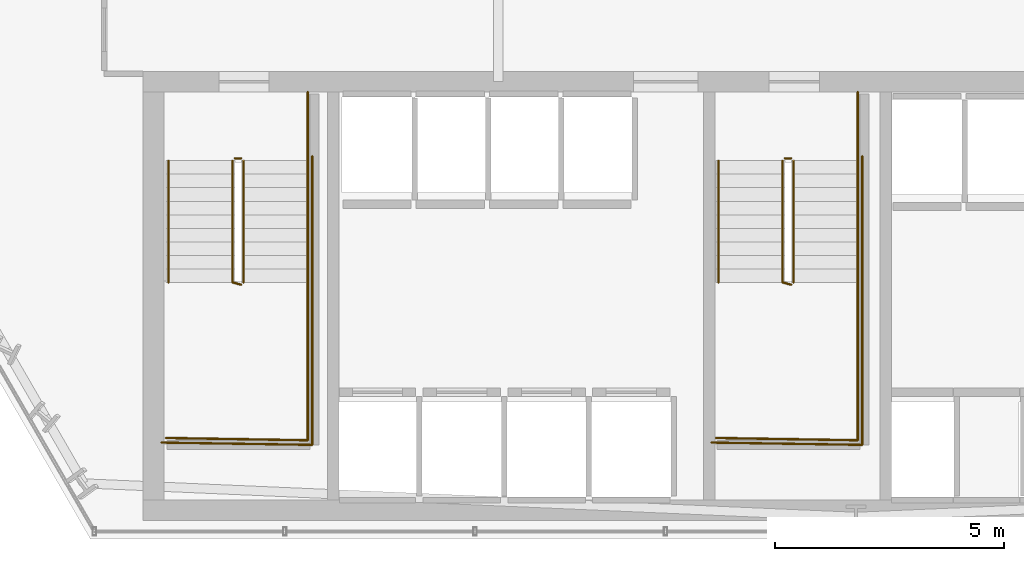
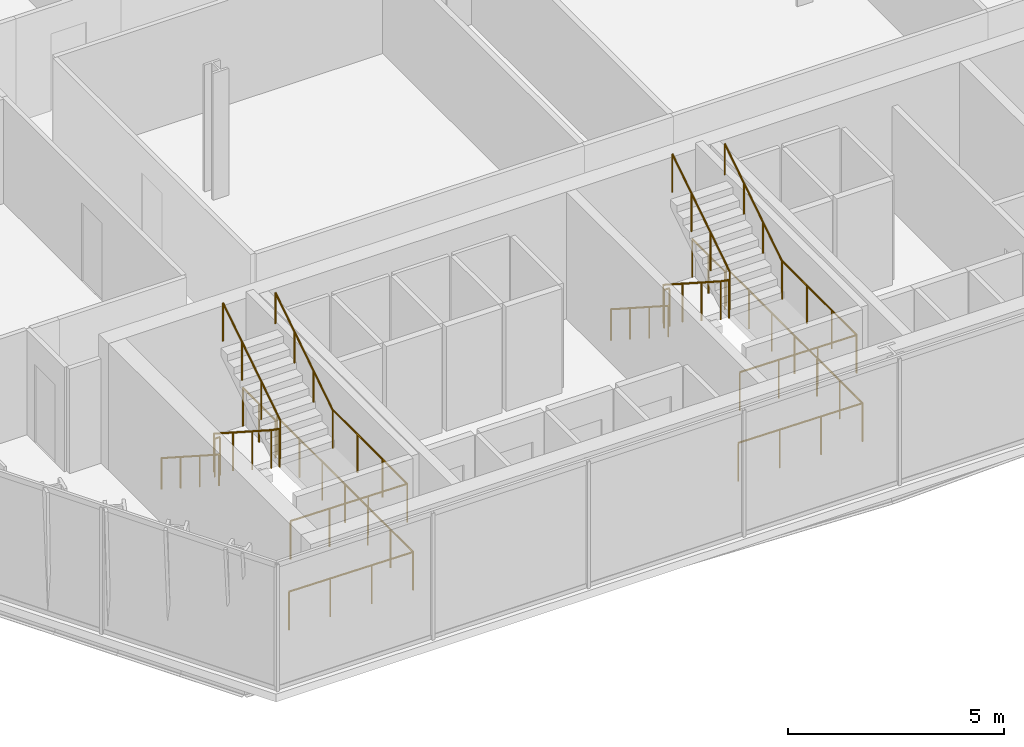
# One storey, part 30 of 32: 16 railings.
"""IFC4 building model written with IfcOpenShell, lengths in metres."""

from ifc_helpers import new_model, si_unit, direction, frame, origin, origin_2d, place, context, subcontext, project, spatial, circle, extrude, material, layer, layer_set, type_object, element, save


model = new_model("IFC4")

# Units and contexts
model_context = context("Model", 3, precision=1e-05, world=origin(), true_north=direction((0.0, 1.0)))
body_context = subcontext(model_context, "Body", "Model", "MODEL_VIEW")
ifc_project = project(units=[si_unit("LENGTHUNIT", "METRE"), si_unit("AREAUNIT", "SQUARE_METRE"), si_unit("VOLUMEUNIT", "CUBIC_METRE"), si_unit("PLANEANGLEUNIT", "RADIAN"), si_unit("MASSUNIT", "GRAM", prefix="KILO")], contexts=[model_context])

# Site, building, storey
site_placement = place(None, origin())
site = spatial("IfcSite", under=ifc_project, at=site_placement, CompositionType="ELEMENT")
building_placement = place(site_placement, origin())
building = spatial("IfcBuilding", under=site, at=building_placement, Name="Ndaravel Arena Tower", CompositionType="ELEMENT")
storey_placement = place(building_placement, frame((0.0, 0.0, 96.800048828125)))
storey = spatial("IfcBuildingStorey", under=building, at=storey_placement, Name="L22", CompositionType="ELEMENT", Elevation=96.800048828125)

# Railings
ifc_material_1 = material(Name="Steel S355", Category="steel")
ifc_layer_1 = layer(ifc_material_1, 0.06005859375)
ifc_layer_set_1 = layer_set([ifc_layer_1], Name="Steel S355")
railing_type_1 = type_object("IfcRailingType", Name="RAIL-STAIR-GD1100", PredefinedType="GUARDRAIL", material=ifc_layer_set_1)
railing_1_placement = place(storey_placement, frame((28.39990234375, 13.25, 0.18994140625)))
element("IfcRailing", 1, at=railing_1_placement, inside=storey, type_object=railing_type_1, Name="L22 ST-1 stair guard 1", PredefinedType="GUARDRAIL", context=body_context, shape_type="SweptSolid", body=[
    extrude(circle(Radius=0.02392578125, at=origin_2d()), frame((0.0, 0.0, 1.076171875), z_axis=(0.0, -0.840723540582, 0.54146461409), x_axis=(1.0, 0.0, 0.0)), (0.0, 0.0, 1.0), 3.157958984375),
    extrude(circle(Radius=0.02392578125, at=origin_2d()), frame((0.0, -2.655029296875, 2.7861328125), z_axis=(0.967074537263, -0.25449329928, 0.0), x_axis=(0.25449329928, 0.967074537263, 0.0)), (0.0, 0.0, 1.0), 0.19677734375),
    extrude(circle(Radius=0.02099609375, at=origin_2d()), origin(), (0.0, 0.0, 1.0), 1.052001953125),
    extrude(circle(Radius=0.02099609375, at=origin_2d()), frame((0.0, -0.885009765625, 0.570068359375)), (0.0, 0.0, 1.0), 1.052001953125),
    extrude(circle(Radius=0.02099609375, at=origin_2d()), frame((0.0, -1.77001953125, 1.139892578125)), (0.0, 0.0, 1.0), 1.052001953125),
    extrude(circle(Radius=0.02099609375, at=origin_2d()), frame((0.0, -2.655029296875, 1.7099609375)), (0.0, 0.0, 1.0), 1.052001953125),
    extrude(circle(Radius=0.02099609375, at=origin_2d()), frame((0.190185546875, -2.705078125, 1.7099609375)), (0.0, 0.0, 1.0), 1.052001953125),
])
railing_2_placement = place(storey_placement, frame((30.0400390625, 10.594970703125, 1.89990234375)))
element("IfcRailing", 2, at=railing_2_placement, inside=storey, type_object=railing_type_1, Name="L22 ST-1 stair guard 2", PredefinedType="GUARDRAIL", context=body_context, shape_type="SweptSolid", body=[
    extrude(circle(Radius=0.02392578125, at=origin_2d()), frame((0.0, 0.0, 1.076171875), z_axis=(0.0, -1.0, 0.0), x_axis=(1.0, 0.0, 0.0)), (0.0, 0.0, 1.0), 3.445068359375),
    extrude(circle(Radius=0.02392578125, at=origin_2d()), frame((0.0, -3.445068359375, 1.076171875), z_axis=(-0.999868861343, 0.016194447071, 0.0), x_axis=(-0.016194447071, -0.999868861343, 0.0)), (0.0, 0.0, 1.0), 3.090576171875),
    extrude(circle(Radius=0.02099609375, at=origin_2d()), origin(), (0.0, 0.0, 1.0), 1.052001953125),
    extrude(circle(Radius=0.02099609375, at=origin_2d()), frame((0.0, -1.1484375, 0.0)), (0.0, 0.0, 1.0), 1.052001953125),
    extrude(circle(Radius=0.02099609375, at=origin_2d()), frame((0.0, -2.296630859375, 0.0)), (0.0, 0.0, 1.0), 1.052001953125),
    extrude(circle(Radius=0.02099609375, at=origin_2d()), frame((0.0, -3.445068359375, 0.0)), (0.0, 0.0, 1.0), 1.052001953125),
    extrude(circle(Radius=0.02099609375, at=origin_2d()), frame((-1.030029296875, -3.428466796875, 0.0)), (0.0, 0.0, 1.0), 1.052001953125),
    extrude(circle(Radius=0.02099609375, at=origin_2d()), frame((-2.06005859375, -3.41162109375, 0.0)), (0.0, 0.0, 1.0), 1.052001953125),
    extrude(circle(Radius=0.02099609375, at=origin_2d()), frame((-3.090087890625, -3.39501953125, 0.0)), (0.0, 0.0, 1.0), 1.052001953125),
])
railing_3_placement = place(storey_placement, frame((28.639892578125, 10.594970703125, 2.08984375)))
element("IfcRailing", 3, at=railing_3_placement, inside=storey, type_object=railing_type_1, Name="L22 ST-1 stair guard 3", PredefinedType="GUARDRAIL", context=body_context, shape_type="SweptSolid", body=[
    extrude(circle(Radius=0.02392578125, at=origin_2d()), frame((0.0, 0.0, 1.076171875), z_axis=(0.0, 0.840688348013, 0.541519253134), x_axis=(-1.0, 0.0, 0.0)), (0.0, 0.0, 1.0), 3.158203125),
    extrude(circle(Radius=0.02099609375, at=origin_2d()), origin(), (0.0, 0.0, 1.0), 1.052001953125),
    extrude(circle(Radius=0.02099609375, at=origin_2d()), frame((0.0, 0.885009765625, 0.570068359375)), (0.0, 0.0, 1.0), 1.052001953125),
    extrude(circle(Radius=0.02099609375, at=origin_2d()), frame((0.0, 1.77001953125, 1.14013671875)), (0.0, 0.0, 1.0), 1.052001953125),
    extrude(circle(Radius=0.02099609375, at=origin_2d()), frame((0.0, 2.655029296875, 1.710205078125)), (0.0, 0.0, 1.0), 1.052001953125),
])
railing_4_placement = place(storey_placement, frame((28.449951171875, 13.300048828125, 0.0)))
element("IfcRailing", 4, at=railing_4_placement, inside=storey, type_object=railing_type_1, Name="L22 ST-1 stair guard 4", PredefinedType="GUARDRAIL", context=body_context, shape_type="SweptSolid", body=[
    extrude(circle(Radius=0.02392578125, at=origin_2d()), frame((0.0, 0.0, 1.076171875), z_axis=(1.0, 0.0, 0.0), x_axis=(0.0, 1.0, 0.0)), (0.0, 0.0, 1.0), 0.14013671875),
    extrude(circle(Radius=0.02099609375, at=origin_2d()), origin(), (0.0, 0.0, 1.0), 1.052001953125),
    extrude(circle(Radius=0.02099609375, at=origin_2d()), frame((0.14013671875, 0.0, 0.0)), (0.0, 0.0, 1.0), 1.052001953125),
])
railing_5_placement = place(storey_placement, frame((30.0400390625, 14.75, 0.0)))
element("IfcRailing", 5, at=railing_5_placement, inside=storey, type_object=railing_type_1, Name="L22 ST-1 stair guard 5", PredefinedType="GUARDRAIL", context=body_context, shape_type="SweptSolid", body=[
    extrude(circle(Radius=0.02392578125, at=origin_2d()), frame((0.0, 0.0, 1.076171875), z_axis=(0.0, -1.0, 0.0), x_axis=(1.0, 0.0, 0.0)), (0.0, 0.0, 1.0), 1.5),
    extrude(circle(Radius=0.02099609375, at=origin_2d()), origin(), (0.0, 0.0, 1.0), 1.052001953125),
    extrude(circle(Radius=0.02099609375, at=origin_2d()), frame((0.0, -0.75, 0.0)), (0.0, 0.0, 1.0), 1.052001953125),
    extrude(circle(Radius=0.02099609375, at=origin_2d()), frame((0.0, -1.5, 0.0)), (0.0, 0.0, 1.0), 1.052001953125),
])
railing_6_placement = place(storey_placement, frame((30.139892578125, 13.35009765625, 0.0)))
element("IfcRailing", 6, at=railing_6_placement, inside=storey, type_object=railing_type_1, Name="L22 ST-1 stair guard 6", PredefinedType="GUARDRAIL", context=body_context, shape_type="SweptSolid", body=[
    extrude(circle(Radius=0.02392578125, at=origin_2d()), frame((0.0, 0.0, 1.076171875), z_axis=(0.0, -1.0, 0.0), x_axis=(1.0, 0.0, 0.0)), (0.0, 0.0, 1.0), 6.300048828125),
    extrude(circle(Radius=0.02392578125, at=origin_2d()), frame((0.0, -6.300048828125, 1.076171875), z_axis=(-0.999884296952, 0.015211597839, 0.0), x_axis=(-0.015211597839, -0.999884296952, 0.0)), (0.0, 0.0, 1.0), 3.290283203125),
    extrude(circle(Radius=0.02099609375, at=origin_2d()), origin(), (0.0, 0.0, 1.0), 1.052001953125),
    extrude(circle(Radius=0.02099609375, at=origin_2d()), frame((0.0, -1.050048828125, 0.0)), (0.0, 0.0, 1.0), 1.052001953125),
    extrude(circle(Radius=0.02099609375, at=origin_2d()), frame((0.0, -2.10009765625, 0.0)), (0.0, 0.0, 1.0), 1.052001953125),
    extrude(circle(Radius=0.02099609375, at=origin_2d()), frame((0.0, -3.14990234375, 0.0)), (0.0, 0.0, 1.0), 1.052001953125),
    extrude(circle(Radius=0.02099609375, at=origin_2d()), frame((0.0, -4.199951171875, 0.0)), (0.0, 0.0, 1.0), 1.052001953125),
    extrude(circle(Radius=0.02099609375, at=origin_2d()), frame((0.0, -5.25, 0.0)), (0.0, 0.0, 1.0), 1.052001953125),
    extrude(circle(Radius=0.02099609375, at=origin_2d()), frame((0.0, -6.300048828125, 0.0)), (0.0, 0.0, 1.0), 1.052001953125),
    extrude(circle(Radius=0.02099609375, at=origin_2d()), frame((-1.0966796875, -6.283447265625, 0.0)), (0.0, 0.0, 1.0), 1.052001953125),
    extrude(circle(Radius=0.02099609375, at=origin_2d()), frame((-2.193115234375, -6.2666015625, 0.0)), (0.0, 0.0, 1.0), 1.052001953125),
    extrude(circle(Radius=0.02099609375, at=origin_2d()), frame((-3.289794921875, -6.25, 0.0)), (0.0, 0.0, 1.0), 1.052001953125),
])
railing_7_placement = place(storey_placement, frame((40.39990234375, 13.25, 0.18994140625)))
element("IfcRailing", 7, at=railing_7_placement, inside=storey, type_object=railing_type_1, Name="L22 ST-2 stair guard 1", PredefinedType="GUARDRAIL", context=body_context, shape_type="SweptSolid", body=[
    extrude(circle(Radius=0.02392578125, at=origin_2d()), frame((0.0, 0.0, 1.076171875), z_axis=(0.0, -0.840723540582, 0.54146461409), x_axis=(1.0, 0.0, 0.0)), (0.0, 0.0, 1.0), 3.157958984375),
    extrude(circle(Radius=0.02392578125, at=origin_2d()), frame((0.0, -2.655029296875, 2.7861328125), z_axis=(0.967074537263, -0.25449329928, 0.0), x_axis=(0.25449329928, 0.967074537263, 0.0)), (0.0, 0.0, 1.0), 0.19677734375),
    extrude(circle(Radius=0.02099609375, at=origin_2d()), origin(), (0.0, 0.0, 1.0), 1.052001953125),
    extrude(circle(Radius=0.02099609375, at=origin_2d()), frame((0.0, -0.885009765625, 0.570068359375)), (0.0, 0.0, 1.0), 1.052001953125),
    extrude(circle(Radius=0.02099609375, at=origin_2d()), frame((0.0, -1.77001953125, 1.139892578125)), (0.0, 0.0, 1.0), 1.052001953125),
    extrude(circle(Radius=0.02099609375, at=origin_2d()), frame((0.0, -2.655029296875, 1.7099609375)), (0.0, 0.0, 1.0), 1.052001953125),
    extrude(circle(Radius=0.02099609375, at=origin_2d()), frame((0.190185546875, -2.705078125, 1.7099609375)), (0.0, 0.0, 1.0), 1.052001953125),
])
railing_8_placement = place(storey_placement, frame((42.0400390625, 10.594970703125, 1.89990234375)))
element("IfcRailing", 8, at=railing_8_placement, inside=storey, type_object=railing_type_1, Name="L22 ST-2 stair guard 2", PredefinedType="GUARDRAIL", context=body_context, shape_type="SweptSolid", body=[
    extrude(circle(Radius=0.02392578125, at=origin_2d()), frame((0.0, 0.0, 1.076171875), z_axis=(0.0, -1.0, 0.0), x_axis=(1.0, 0.0, 0.0)), (0.0, 0.0, 1.0), 3.445068359375),
    extrude(circle(Radius=0.02392578125, at=origin_2d()), frame((0.0, -3.445068359375, 1.076171875), z_axis=(-0.999868861343, 0.016194447071, 0.0), x_axis=(-0.016194447071, -0.999868861343, 0.0)), (0.0, 0.0, 1.0), 3.090576171875),
    extrude(circle(Radius=0.02099609375, at=origin_2d()), origin(), (0.0, 0.0, 1.0), 1.052001953125),
    extrude(circle(Radius=0.02099609375, at=origin_2d()), frame((0.0, -1.1484375, 0.0)), (0.0, 0.0, 1.0), 1.052001953125),
    extrude(circle(Radius=0.02099609375, at=origin_2d()), frame((0.0, -2.296630859375, 0.0)), (0.0, 0.0, 1.0), 1.052001953125),
    extrude(circle(Radius=0.02099609375, at=origin_2d()), frame((0.0, -3.445068359375, 0.0)), (0.0, 0.0, 1.0), 1.052001953125),
    extrude(circle(Radius=0.02099609375, at=origin_2d()), frame((-1.030029296875, -3.428466796875, 0.0)), (0.0, 0.0, 1.0), 1.052001953125),
    extrude(circle(Radius=0.02099609375, at=origin_2d()), frame((-2.06005859375, -3.41162109375, 0.0)), (0.0, 0.0, 1.0), 1.052001953125),
    extrude(circle(Radius=0.02099609375, at=origin_2d()), frame((-3.090087890625, -3.39501953125, 0.0)), (0.0, 0.0, 1.0), 1.052001953125),
])
railing_9_placement = place(storey_placement, frame((40.639892578125, 10.594970703125, 2.08984375)))
element("IfcRailing", 9, at=railing_9_placement, inside=storey, type_object=railing_type_1, Name="L22 ST-2 stair guard 3", PredefinedType="GUARDRAIL", context=body_context, shape_type="SweptSolid", body=[
    extrude(circle(Radius=0.02392578125, at=origin_2d()), frame((0.0, 0.0, 1.076171875), z_axis=(0.0, 0.840688348013, 0.541519253134), x_axis=(-1.0, 0.0, 0.0)), (0.0, 0.0, 1.0), 3.158203125),
    extrude(circle(Radius=0.02099609375, at=origin_2d()), origin(), (0.0, 0.0, 1.0), 1.052001953125),
    extrude(circle(Radius=0.02099609375, at=origin_2d()), frame((0.0, 0.885009765625, 0.570068359375)), (0.0, 0.0, 1.0), 1.052001953125),
    extrude(circle(Radius=0.02099609375, at=origin_2d()), frame((0.0, 1.77001953125, 1.14013671875)), (0.0, 0.0, 1.0), 1.052001953125),
    extrude(circle(Radius=0.02099609375, at=origin_2d()), frame((0.0, 2.655029296875, 1.710205078125)), (0.0, 0.0, 1.0), 1.052001953125),
])
railing_10_placement = place(storey_placement, frame((40.449951171875, 13.300048828125, 0.0)))
element("IfcRailing", 10, at=railing_10_placement, inside=storey, type_object=railing_type_1, Name="L22 ST-2 stair guard 4", PredefinedType="GUARDRAIL", context=body_context, shape_type="SweptSolid", body=[
    extrude(circle(Radius=0.02392578125, at=origin_2d()), frame((0.0, 0.0, 1.076171875), z_axis=(1.0, 0.0, 0.0), x_axis=(0.0, 1.0, 0.0)), (0.0, 0.0, 1.0), 0.14013671875),
    extrude(circle(Radius=0.02099609375, at=origin_2d()), origin(), (0.0, 0.0, 1.0), 1.052001953125),
    extrude(circle(Radius=0.02099609375, at=origin_2d()), frame((0.14013671875, 0.0, 0.0)), (0.0, 0.0, 1.0), 1.052001953125),
])
railing_11_placement = place(storey_placement, frame((42.0400390625, 14.75, 0.0)))
element("IfcRailing", 11, at=railing_11_placement, inside=storey, type_object=railing_type_1, Name="L22 ST-2 stair guard 5", PredefinedType="GUARDRAIL", context=body_context, shape_type="SweptSolid", body=[
    extrude(circle(Radius=0.02392578125, at=origin_2d()), frame((0.0, 0.0, 1.076171875), z_axis=(0.0, -1.0, 0.0), x_axis=(1.0, 0.0, 0.0)), (0.0, 0.0, 1.0), 1.5),
    extrude(circle(Radius=0.02099609375, at=origin_2d()), origin(), (0.0, 0.0, 1.0), 1.052001953125),
    extrude(circle(Radius=0.02099609375, at=origin_2d()), frame((0.0, -0.75, 0.0)), (0.0, 0.0, 1.0), 1.052001953125),
    extrude(circle(Radius=0.02099609375, at=origin_2d()), frame((0.0, -1.5, 0.0)), (0.0, 0.0, 1.0), 1.052001953125),
])
railing_12_placement = place(storey_placement, frame((42.139892578125, 13.35009765625, 0.0)))
element("IfcRailing", 12, at=railing_12_placement, inside=storey, type_object=railing_type_1, Name="L22 ST-2 stair guard 6", PredefinedType="GUARDRAIL", context=body_context, shape_type="SweptSolid", body=[
    extrude(circle(Radius=0.02392578125, at=origin_2d()), frame((0.0, 0.0, 1.076171875), z_axis=(0.0, -1.0, 0.0), x_axis=(1.0, 0.0, 0.0)), (0.0, 0.0, 1.0), 6.300048828125),
    extrude(circle(Radius=0.02392578125, at=origin_2d()), frame((0.0, -6.300048828125, 1.076171875), z_axis=(-0.999884296952, 0.015211597839, 0.0), x_axis=(-0.015211597839, -0.999884296952, 0.0)), (0.0, 0.0, 1.0), 3.290283203125),
    extrude(circle(Radius=0.02099609375, at=origin_2d()), origin(), (0.0, 0.0, 1.0), 1.052001953125),
    extrude(circle(Radius=0.02099609375, at=origin_2d()), frame((0.0, -1.050048828125, 0.0)), (0.0, 0.0, 1.0), 1.052001953125),
    extrude(circle(Radius=0.02099609375, at=origin_2d()), frame((0.0, -2.10009765625, 0.0)), (0.0, 0.0, 1.0), 1.052001953125),
    extrude(circle(Radius=0.02099609375, at=origin_2d()), frame((0.0, -3.14990234375, 0.0)), (0.0, 0.0, 1.0), 1.052001953125),
    extrude(circle(Radius=0.02099609375, at=origin_2d()), frame((0.0, -4.199951171875, 0.0)), (0.0, 0.0, 1.0), 1.052001953125),
    extrude(circle(Radius=0.02099609375, at=origin_2d()), frame((0.0, -5.25, 0.0)), (0.0, 0.0, 1.0), 1.052001953125),
    extrude(circle(Radius=0.02099609375, at=origin_2d()), frame((0.0, -6.300048828125, 0.0)), (0.0, 0.0, 1.0), 1.052001953125),
    extrude(circle(Radius=0.02099609375, at=origin_2d()), frame((-1.0966796875, -6.283447265625, 0.0)), (0.0, 0.0, 1.0), 1.052001953125),
    extrude(circle(Radius=0.02099609375, at=origin_2d()), frame((-2.193115234375, -6.2666015625, 0.0)), (0.0, 0.0, 1.0), 1.052001953125),
    extrude(circle(Radius=0.02099609375, at=origin_2d()), frame((-3.289794921875, -6.25, 0.0)), (0.0, 0.0, 1.0), 1.052001953125),
])
ifc_material_2 = material(Name="Steel S355", Category="steel")
ifc_layer_2 = layer(ifc_material_2, 0.050048828125)
ifc_layer_set_2 = layer_set([ifc_layer_2], Name="Steel S355")
railing_type_2 = type_object("IfcRailingType", Name="RAIL-STAIR-HR920", PredefinedType="HANDRAIL", material=ifc_layer_set_2)
railing_13_placement = place(storey_placement, frame((27.0, 13.25, 0.18994140625)))
element("IfcRailing", 13, at=railing_13_placement, inside=storey, type_object=railing_type_2, Name="L22 ST-1 stair handrail 1", PredefinedType="HANDRAIL", context=body_context, shape_type="SweptSolid", body=[
    extrude(circle(Radius=0.02392578125, at=origin_2d()), frame((0.0, 0.0, 0.8759765625), z_axis=(0.0, -0.840723540582, 0.54146461409), x_axis=(1.0, 0.0, 0.0)), (0.0, 0.0, 1.0), 3.157958984375),
    extrude(circle(Radius=0.02099609375, at=origin_2d()), origin(), (0.0, 0.0, 1.0), 0.851806640625),
    extrude(circle(Radius=0.02099609375, at=origin_2d()), frame((0.0, -0.885009765625, 0.570068359375)), (0.0, 0.0, 1.0), 0.851806640625),
    extrude(circle(Radius=0.02099609375, at=origin_2d()), frame((0.0, -1.77001953125, 1.139892578125)), (0.0, 0.0, 1.0), 0.851806640625),
    extrude(circle(Radius=0.02099609375, at=origin_2d()), frame((0.0, -2.655029296875, 1.7099609375)), (0.0, 0.0, 1.0), 0.851806640625),
])
railing_14_placement = place(storey_placement, frame((30.0400390625, 10.594970703125, 2.08984375)))
element("IfcRailing", 14, at=railing_14_placement, inside=storey, type_object=railing_type_2, Name="L22 ST-1 stair handrail 2", PredefinedType="HANDRAIL", context=body_context, shape_type="SweptSolid", body=[
    extrude(circle(Radius=0.02392578125, at=origin_2d()), frame((0.0, 0.0, 0.8759765625), z_axis=(0.0, 0.840688348013, 0.541519253134), x_axis=(-1.0, 0.0, 0.0)), (0.0, 0.0, 1.0), 3.158203125),
    extrude(circle(Radius=0.02099609375, at=origin_2d()), origin(), (0.0, 0.0, 1.0), 0.851806640625),
    extrude(circle(Radius=0.02099609375, at=origin_2d()), frame((0.0, 0.885009765625, 0.570068359375)), (0.0, 0.0, 1.0), 0.851806640625),
    extrude(circle(Radius=0.02099609375, at=origin_2d()), frame((0.0, 1.77001953125, 1.14013671875)), (0.0, 0.0, 1.0), 0.851806640625),
    extrude(circle(Radius=0.02099609375, at=origin_2d()), frame((0.0, 2.655029296875, 1.710205078125)), (0.0, 0.0, 1.0), 0.851806640625),
])
railing_15_placement = place(storey_placement, frame((39.0, 13.25, 0.18994140625)))
element("IfcRailing", 15, at=railing_15_placement, inside=storey, type_object=railing_type_2, Name="L22 ST-2 stair handrail 1", PredefinedType="HANDRAIL", context=body_context, shape_type="SweptSolid", body=[
    extrude(circle(Radius=0.02392578125, at=origin_2d()), frame((0.0, 0.0, 0.8759765625), z_axis=(0.0, -0.840723540582, 0.54146461409), x_axis=(1.0, 0.0, 0.0)), (0.0, 0.0, 1.0), 3.157958984375),
    extrude(circle(Radius=0.02099609375, at=origin_2d()), origin(), (0.0, 0.0, 1.0), 0.851806640625),
    extrude(circle(Radius=0.02099609375, at=origin_2d()), frame((0.0, -0.885009765625, 0.570068359375)), (0.0, 0.0, 1.0), 0.851806640625),
    extrude(circle(Radius=0.02099609375, at=origin_2d()), frame((0.0, -1.77001953125, 1.139892578125)), (0.0, 0.0, 1.0), 0.851806640625),
    extrude(circle(Radius=0.02099609375, at=origin_2d()), frame((0.0, -2.655029296875, 1.7099609375)), (0.0, 0.0, 1.0), 0.851806640625),
])
railing_16_placement = place(storey_placement, frame((42.0400390625, 10.594970703125, 2.08984375)))
element("IfcRailing", 16, at=railing_16_placement, inside=storey, type_object=railing_type_2, Name="L22 ST-2 stair handrail 2", PredefinedType="HANDRAIL", context=body_context, shape_type="SweptSolid", body=[
    extrude(circle(Radius=0.02392578125, at=origin_2d()), frame((0.0, 0.0, 0.8759765625), z_axis=(0.0, 0.840688348013, 0.541519253134), x_axis=(-1.0, 0.0, 0.0)), (0.0, 0.0, 1.0), 3.158203125),
    extrude(circle(Radius=0.02099609375, at=origin_2d()), origin(), (0.0, 0.0, 1.0), 0.851806640625),
    extrude(circle(Radius=0.02099609375, at=origin_2d()), frame((0.0, 0.885009765625, 0.570068359375)), (0.0, 0.0, 1.0), 0.851806640625),
    extrude(circle(Radius=0.02099609375, at=origin_2d()), frame((0.0, 1.77001953125, 1.14013671875)), (0.0, 0.0, 1.0), 0.851806640625),
    extrude(circle(Radius=0.02099609375, at=origin_2d()), frame((0.0, 2.655029296875, 1.710205078125)), (0.0, 0.0, 1.0), 0.851806640625),
])

save(model, "model.ifc")
